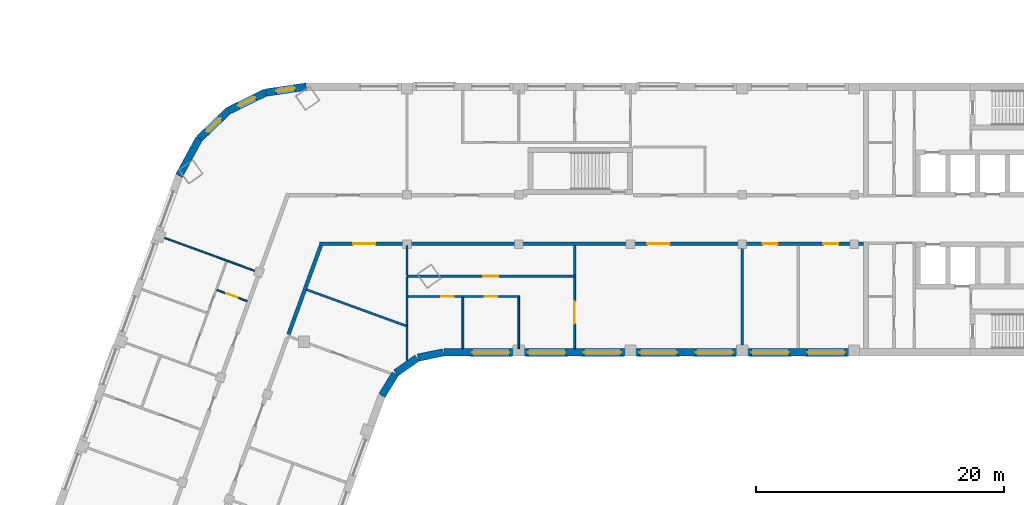
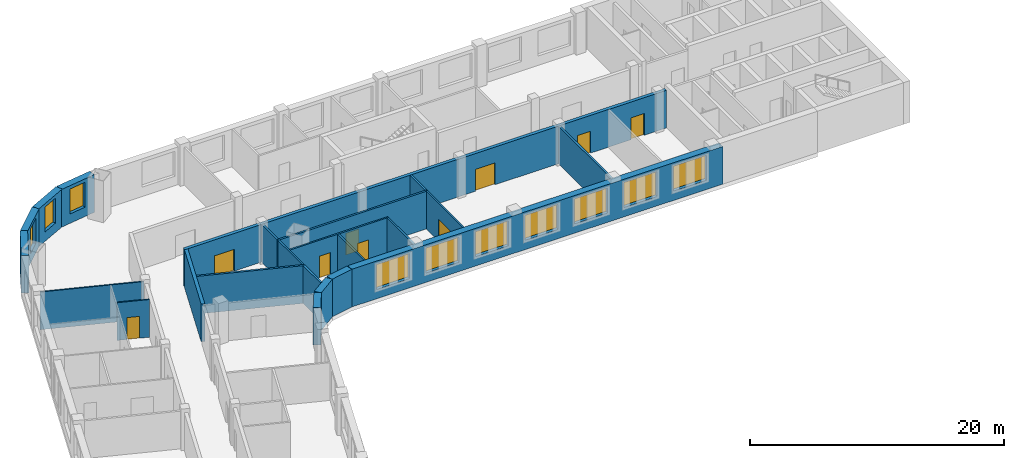
# One storey, part 4 of 12: 23 walls, 10 windows, 9 doors, 19 openings.
"""IFC4 building model written with IfcOpenShell, lengths in metres."""

from ifc_helpers import new_model, si_unit, direction, frame, frame_2d, origin, place, context, subcontext, project, spatial, rectangle, extrude, material, layer, layer_set, type_object, element, fill, save


model = new_model("IFC4")

# Units and contexts
model_context = context("Model", 3, precision=1e-05, world=origin(), true_north=direction((0.0, 1.0)))
body_context = subcontext(model_context, "Body", "Model", "MODEL_VIEW")
ifc_project = project(units=[si_unit("LENGTHUNIT", "METRE"), si_unit("AREAUNIT", "SQUARE_METRE"), si_unit("VOLUMEUNIT", "CUBIC_METRE"), si_unit("PLANEANGLEUNIT", "RADIAN"), si_unit("MASSUNIT", "GRAM", prefix="KILO")], contexts=[model_context])

# Site, building, storey
site_placement = place(None, origin())
site = spatial("IfcSite", under=ifc_project, at=site_placement, CompositionType="ELEMENT")
building_placement = place(site_placement, origin())
building = spatial("IfcBuilding", under=site, at=building_placement, Name="Skarvind Civic Tower", CompositionType="ELEMENT")
storey_placement = place(building_placement, frame((0.0, 0.0, 39.5)))
storey = spatial("IfcBuildingStorey", under=building, at=storey_placement, Name="L08", CompositionType="ELEMENT", Elevation=39.5)

# Walls
ifc_material_1 = material(Name="Acoustic gypsum board on steel studs", Category="steel")
ifc_layer_1 = layer(ifc_material_1, 0.175048828125)
ifc_layer_set_1 = layer_set([ifc_layer_1], Name="ACOUSTIC MEETING-ROOM PARTITION 175")
wall_type_1 = type_object("IfcWallType", Name="ACOUSTIC MEETING-ROOM PARTITION 175", PredefinedType="PARTITIONING", material=ifc_layer_set_1)
wall_1_placement = place(storey_placement, frame((54.25, 116.636962890625, 0.0), z_axis=(0.0, 0.0, 1.0), x_axis=(0.0, 1.0, 0.0)))
element("IfcWall", 1, at=wall_1_placement, inside=storey, type_object=wall_type_1, Name="Partition 08.022", PredefinedType="PARTITIONING", context=body_context, shape_type="SweptSolid", body=[
    extrude(rectangle(XDim=2.776123046875, YDim=0.175048828125, at=frame_2d((1.38818359375, 0.0))), origin(), (0.0, 0.0, 1.0), 3.625),
])
wall_2_placement = place(storey_placement, frame((54.320068359375, 119.384033203125, 0.0), z_axis=(0.0, 0.0, 1.0), x_axis=(-0.939632908118, 0.342184157994, 0.0)))
element("IfcWall", 2, at=wall_2_placement, inside=storey, type_object=wall_type_1, Name="Partition 08.023", PredefinedType="PARTITIONING", context=body_context, shape_type="SweptSolid", body=[
    extrude(rectangle(XDim=8.665283203125, YDim=0.175048828125, at=frame_2d((4.33251953125, 0.0))), origin(), (0.0, 0.0, 1.0), 3.625),
])
wall_3_placement = place(storey_placement, frame((54.25, 123.501953125, 0.0), z_axis=(0.0, 0.0, 1.0), x_axis=(0.0, 1.0, 0.0)))
element("IfcWall", 3, at=wall_3_placement, inside=storey, type_object=wall_type_1, Name="Partition 08.026", PredefinedType="PARTITIONING", context=body_context, shape_type="SweptSolid", body=[
    extrude(rectangle(XDim=2.39794921875, YDim=0.175048828125, at=frame_2d((1.198974609375, 0.0))), origin(), (0.0, 0.0, 1.0), 3.625),
])

# Wall, opening, door
wall_4_placement = place(storey_placement, frame((54.25, 123.429931640625, 0.0), z_axis=(0.0, 0.0, 1.0), x_axis=(1.0, 0.0, 0.0)))
wall_4 = element("IfcWall", 4, at=wall_4_placement, inside=storey, type_object=wall_type_1, Name="Partition 08.027", PredefinedType="PARTITIONING", context=body_context, shape_type="SweptSolid", body=[
    extrude(rectangle(XDim=13.587890625, YDim=0.175048828125, at=frame_2d((6.7939453125, 0.0))), origin(), (0.0, 0.0, 1.0), 3.625),
])
opening_1_placement = place(wall_4_placement, frame((6.14990234375, 0.0, 0.0)))
opening_1 = element("IfcOpeningElement", 5, at=opening_1_placement, cuts=wall_4, Name="Opening L08-D025", PredefinedType="OPENING", context=body_context, shape_type="SweptSolid", body=[
    extrude(rectangle(XDim=1.199951171875, YDim=2.10009765625, at=frame_2d((0.60009765625, 1.050048828125))), frame((0.0, 0.097412109375, 0.0), z_axis=(0.0, -1.0, 0.0), x_axis=(1.0, 0.0, 0.0)), (0.0, 0.0, 1.0), 0.195068359375),
])
ifc_material_2 = material(Name="Timber door leaf", Category="wood")
door_type_1 = type_object("IfcDoorType", Name="DOOR 1200X2100 DOUBLE TIMBER", OperationType="NOTDEFINED", PredefinedType="DOOR", material=ifc_material_2)
door_1_placement = place(opening_1_placement, origin())
door_1 = element("IfcDoor", 6, at=door_1_placement, inside=storey, type_object=door_type_1, Name="Door L08-D025", OperationType="DOUBLE_DOOR_SINGLE_SWING", OverallHeight=2.10009765625, OverallWidth=1.199951171875, PredefinedType="DOOR", context=body_context, shape_type="SweptSolid", body=[
    extrude(rectangle(XDim=1.199951171875, YDim=2.10009765625, at=frame_2d((0.60009765625, 1.050048828125))), frame((0.0, 0.02490234375, 0.0), z_axis=(0.0, -1.0, 0.0), x_axis=(1.0, 0.0, 0.0)), (0.0, 0.0, 1.0), 0.050048828125),
])
fill(opening_1, door_1)

# Walls
wall_5_placement = place(storey_placement, frame((67.75, 123.51806640625, 0.0), z_axis=(0.0, 0.0, 1.0), x_axis=(0.0, 1.0, 0.0)))
element("IfcWall", 7, at=wall_5_placement, inside=storey, type_object=wall_type_1, Name="Partition 08.035", PredefinedType="PARTITIONING", context=body_context, shape_type="SweptSolid", body=[
    extrude(rectangle(XDim=2.3818359375, YDim=0.175048828125, at=frame_2d((1.19091796875, 0.0))), origin(), (0.0, 0.0, 1.0), 3.625),
])
wall_6_placement = place(storey_placement, frame((81.25, 117.60009765625, 0.0), z_axis=(0.0, 0.0, 1.0), x_axis=(0.0, 1.0, 0.0)))
element("IfcWall", 8, at=wall_6_placement, inside=storey, type_object=wall_type_1, Name="Partition 08.041", PredefinedType="PARTITIONING", context=body_context, shape_type="SweptSolid", body=[
    extrude(rectangle(XDim=8.2998046875, YDim=0.175048828125, at=frame_2d((4.14990234375, 0.0))), origin(), (0.0, 0.0, 1.0), 3.625),
])
ifc_material_3 = material(Name="Fire-rated gypsum board on steel studs", Category="steel")
ifc_layer_2 = layer(ifc_material_3, 0.300048828125)
ifc_layer_set_2 = layer_set([ifc_layer_2], Name="CORRIDOR WALL 300")
wall_type_2 = type_object("IfcWallType", Name="CORRIDOR WALL 300", PredefinedType="PARTITIONING", material=ifc_layer_set_2)
wall_7_placement = place(storey_placement, frame((47.31396484375, 125.908935546875, 0.0), z_axis=(0.0, 0.0, 1.0), x_axis=(-0.34198522802, -0.939705328183, 0.0)))
element("IfcWall", 9, at=wall_7_placement, inside=storey, type_object=wall_type_2, Name="Partition 08.021", PredefinedType="PARTITIONING", context=body_context, shape_type="SweptSolid", body=[
    extrude(rectangle(XDim=7.608642578125, YDim=0.300048828125, at=frame_2d((3.80419921875, 0.0))), origin(), (0.0, 0.0, 1.0), 3.625),
])

# Wall, openings, doors
wall_8_placement = place(storey_placement, frame((91.0, 126.050048828125, 0.0), z_axis=(0.0, 0.0, 1.0), x_axis=(-1.0, 0.0, 0.0)))
wall_8 = element("IfcWall", 10, at=wall_8_placement, inside=storey, type_object=wall_type_2, Name="Partition 08.043", PredefinedType="PARTITIONING", context=body_context, shape_type="SweptSolid", body=[
    extrude(rectangle(XDim=43.784912109375, YDim=0.300048828125, at=frame_2d((21.892578125, 0.0))), origin(), (0.0, 0.0, 1.0), 3.625),
])
opening_2_placement = place(wall_8_placement, frame((2.02490234375, 0.0, 0.0)))
opening_2 = element("IfcOpeningElement", 11, at=opening_2_placement, cuts=wall_8, Name="Opening L08-D005", PredefinedType="OPENING", context=body_context, shape_type="SweptSolid", body=[
    extrude(rectangle(XDim=1.199951171875, YDim=2.10009765625, at=frame_2d((0.60009765625, 1.050048828125))), frame((0.0, 0.159912109375, 0.0), z_axis=(0.0, -1.0, 0.0), x_axis=(1.0, 0.0, 0.0)), (0.0, 0.0, 1.0), 0.320068359375),
])
opening_3_placement = place(wall_8_placement, frame((6.89990234375, 0.0, 0.0)))
opening_3 = element("IfcOpeningElement", 12, at=opening_3_placement, cuts=wall_8, Name="Opening L08-D006", PredefinedType="OPENING", context=body_context, shape_type="SweptSolid", body=[
    extrude(rectangle(XDim=1.199951171875, YDim=2.10009765625, at=frame_2d((0.60009765625, 1.050048828125))), frame((0.0, 0.159912109375, 0.0), z_axis=(0.0, -1.0, 0.0), x_axis=(1.0, 0.0, 0.0)), (0.0, 0.0, 1.0), 0.320068359375),
])
opening_4_placement = place(wall_8_placement, frame((15.60009765625, 0.0, 0.0)))
opening_4 = element("IfcOpeningElement", 13, at=opening_4_placement, cuts=wall_8, Name="Opening L08-D007", PredefinedType="OPENING", context=body_context, shape_type="SweptSolid", body=[
    extrude(rectangle(XDim=1.800048828125, YDim=2.10009765625, at=frame_2d((0.89990234375, 1.050048828125))), frame((0.0, 0.159912109375, 0.0), z_axis=(0.0, -1.0, 0.0), x_axis=(1.0, 0.0, 0.0)), (0.0, 0.0, 1.0), 0.320068359375),
])
opening_5_placement = place(wall_8_placement, frame((39.2958984375, 0.0, 0.0)))
opening_5 = element("IfcOpeningElement", 14, at=opening_5_placement, cuts=wall_8, Name="Opening L08-D024", PredefinedType="OPENING", context=body_context, shape_type="SweptSolid", body=[
    extrude(rectangle(XDim=1.800048828125, YDim=2.10009765625, at=frame_2d((0.89990234375, 1.050048828125))), frame((0.0, 0.159912109375, 0.0), z_axis=(0.0, -1.0, 0.0), x_axis=(1.0, 0.0, 0.0)), (0.0, 0.0, 1.0), 0.320068359375),
])
ifc_material_4 = material(Name="Fire-rated timber door leaf", Category="wood")
door_type_2 = type_object("IfcDoorType", Name="FD4 1800x2100", OperationType="NOTDEFINED", PredefinedType="DOOR", material=ifc_material_4)
door_2_placement = place(opening_4_placement, origin())
door_2 = element("IfcDoor", 15, at=door_2_placement, inside=storey, type_object=door_type_2, Name="Door L08-D007", OperationType="DOUBLE_DOOR_SINGLE_SWING", OverallHeight=2.10009765625, OverallWidth=1.800048828125, PredefinedType="DOOR", context=body_context, shape_type="SweptSolid", body=[
    extrude(rectangle(XDim=1.800048828125, YDim=2.10009765625, at=frame_2d((0.89990234375, 1.050048828125))), frame((0.0, 0.02490234375, 0.0), z_axis=(0.0, -1.0, 0.0), x_axis=(1.0, 0.0, 0.0)), (0.0, 0.0, 1.0), 0.050048828125),
])
fill(opening_4, door_2)
door_3_placement = place(opening_5_placement, origin())
door_3 = element("IfcDoor", 16, at=door_3_placement, inside=storey, type_object=door_type_2, Name="Door L08-D024", OperationType="DOUBLE_DOOR_SINGLE_SWING", OverallHeight=2.10009765625, OverallWidth=1.800048828125, PredefinedType="DOOR", context=body_context, shape_type="SweptSolid", body=[
    extrude(rectangle(XDim=1.800048828125, YDim=2.10009765625, at=frame_2d((0.89990234375, 1.050048828125))), frame((0.0, 0.02490234375, 0.0), z_axis=(0.0, -1.0, 0.0), x_axis=(1.0, 0.0, 0.0)), (0.0, 0.0, 1.0), 0.050048828125),
])
fill(opening_5, door_3)
door_type_3 = type_object("IfcDoorType", Name="FD6 1200x2100 DOUBLE", OperationType="NOTDEFINED", PredefinedType="DOOR", material=ifc_material_4)
door_4_placement = place(opening_2_placement, origin())
door_4 = element("IfcDoor", 17, at=door_4_placement, inside=storey, type_object=door_type_3, Name="Door L08-D005", OperationType="DOUBLE_DOOR_SINGLE_SWING", OverallHeight=2.10009765625, OverallWidth=1.199951171875, PredefinedType="DOOR", context=body_context, shape_type="SweptSolid", body=[
    extrude(rectangle(XDim=1.199951171875, YDim=2.10009765625, at=frame_2d((0.60009765625, 1.050048828125))), frame((0.0, 0.02490234375, 0.0), z_axis=(0.0, -1.0, 0.0), x_axis=(1.0, 0.0, 0.0)), (0.0, 0.0, 1.0), 0.050048828125),
])
fill(opening_2, door_4)
door_5_placement = place(opening_3_placement, origin())
door_5 = element("IfcDoor", 18, at=door_5_placement, inside=storey, type_object=door_type_3, Name="Door L08-D006", OperationType="DOUBLE_DOOR_SINGLE_SWING", OverallHeight=2.10009765625, OverallWidth=1.199951171875, PredefinedType="DOOR", context=body_context, shape_type="SweptSolid", body=[
    extrude(rectangle(XDim=1.199951171875, YDim=2.10009765625, at=frame_2d((0.60009765625, 1.050048828125))), frame((0.0, 0.02490234375, 0.0), z_axis=(0.0, -1.0, 0.0), x_axis=(1.0, 0.0, 0.0)), (0.0, 0.0, 1.0), 0.050048828125),
])
fill(opening_3, door_5)

# Wall
ifc_material_5 = material(Name="Plasterboard partition on steel studs", Category="steel")
ifc_layer_3 = layer(ifc_material_5, 0.14990234375)
ifc_layer_set_3 = layer_set([ifc_layer_3], Name="PARTITION 150")
wall_type_3 = type_object("IfcWallType", Name="PARTITION 150", PredefinedType="PARTITIONING", material=ifc_layer_set_3)
wall_9_placement = place(storey_placement, frame((54.25, 119.498046875, 0.0), z_axis=(0.0, 0.0, 1.0), x_axis=(0.0, 1.0, 0.0)))
element("IfcWall", 19, at=wall_9_placement, inside=storey, type_object=wall_type_3, Name="Partition 08.024", PredefinedType="PARTITIONING", context=body_context, shape_type="SweptSolid", body=[
    extrude(rectangle(XDim=3.847900390625, YDim=0.14990234375, at=frame_2d((1.923828125, 0.0))), origin(), (0.0, 0.0, 1.0), 3.625),
])

# Wall, openings, doors
wall_10_placement = place(storey_placement, frame((54.324951171875, 121.800048828125, 0.0), z_axis=(0.0, 0.0, 1.0), x_axis=(1.0, 0.0, 0.0)))
wall_10 = element("IfcWall", 20, at=wall_10_placement, inside=storey, type_object=wall_type_3, Name="Partition 08.025", PredefinedType="PARTITIONING", context=body_context, shape_type="SweptSolid", body=[
    extrude(rectangle(XDim=9.0, YDim=0.14990234375, at=frame_2d((4.5, 0.0))), origin(), (0.0, 0.0, 1.0), 3.625),
])
opening_6_placement = place(wall_10_placement, frame((6.175048828125, 0.0, 0.0)))
opening_6 = element("IfcOpeningElement", 21, at=opening_6_placement, cuts=wall_10, Name="Opening L08-D008", PredefinedType="OPENING", context=body_context, shape_type="SweptSolid", body=[
    extrude(rectangle(XDim=1.0, YDim=2.10009765625, at=frame_2d((0.5, 1.050048828125))), frame((0.0, 0.0849609375, 0.0), z_axis=(0.0, -1.0, 0.0), x_axis=(1.0, 0.0, 0.0)), (0.0, 0.0, 1.0), 0.169921875),
])
opening_7_placement = place(wall_10_placement, frame((2.702392578125, 0.0, 0.0)))
opening_7 = element("IfcOpeningElement", 22, at=opening_7_placement, cuts=wall_10, Name="Opening L08-D009", PredefinedType="OPENING", context=body_context, shape_type="SweptSolid", body=[
    extrude(rectangle(XDim=1.0, YDim=2.10009765625, at=frame_2d((0.5, 1.050048828125))), frame((0.0, 0.0849609375, 0.0), z_axis=(0.0, -1.0, 0.0), x_axis=(1.0, 0.0, 0.0)), (0.0, 0.0, 1.0), 0.169921875),
])
door_type_4 = type_object("IfcDoorType", Name="D1 1000x2100", OperationType="NOTDEFINED", PredefinedType="DOOR", material=ifc_material_2)
door_6_placement = place(opening_6_placement, origin())
door_6 = element("IfcDoor", 23, at=door_6_placement, inside=storey, type_object=door_type_4, Name="Door L08-D008", OperationType="SINGLE_SWING_RIGHT", OverallHeight=2.10009765625, OverallWidth=1.0, PredefinedType="DOOR", context=body_context, shape_type="SweptSolid", body=[
    extrude(rectangle(XDim=1.0, YDim=2.10009765625, at=frame_2d((0.5, 1.050048828125))), frame((0.0, 0.02490234375, 0.0), z_axis=(0.0, -1.0, 0.0), x_axis=(1.0, 0.0, 0.0)), (0.0, 0.0, 1.0), 0.050048828125),
])
fill(opening_6, door_6)
door_7_placement = place(opening_7_placement, origin())
door_7 = element("IfcDoor", 24, at=door_7_placement, inside=storey, type_object=door_type_4, Name="Door L08-D009", OperationType="SINGLE_SWING_RIGHT", OverallHeight=2.10009765625, OverallWidth=1.0, PredefinedType="DOOR", context=body_context, shape_type="SweptSolid", body=[
    extrude(rectangle(XDim=1.0, YDim=2.10009765625, at=frame_2d((0.5, 1.050048828125))), frame((0.0, 0.02490234375, 0.0), z_axis=(0.0, -1.0, 0.0), x_axis=(1.0, 0.0, 0.0)), (0.0, 0.0, 1.0), 0.050048828125),
])
fill(opening_7, door_7)

# Walls
for number, where, z_axis, x_axis, name in (
    (25, (58.75, 117.60009765625, 0.0), (0.0, 0.0, 1.0), (0.0, 1.0, 0.0), "Partition 08.029"),
    (26, (63.25, 117.60009765625, 0.0), (0.0, 0.0, 1.0), (0.0, 1.0, 0.0), "Partition 08.032"),
):
    element("IfcWall", number, at=place(storey_placement, frame(where, z_axis=z_axis, x_axis=x_axis)), inside=storey, type_object=wall_type_3, Name=name, PredefinedType="PARTITIONING", context=body_context, shape_type="SweptSolid", body=[
        extrude(rectangle(XDim=4.125, YDim=0.14990234375, at=frame_2d((2.0625, 0.0))), origin(), (0.0, 0.0, 1.0), 3.625),
    ])

# Wall, opening, door
wall_11_placement = place(storey_placement, frame((67.75, 123.43310546875, 0.0), z_axis=(0.0, 0.0, 1.0), x_axis=(0.0, -1.0, 0.0)))
wall_11 = element("IfcWall", 27, at=wall_11_placement, inside=storey, type_object=wall_type_3, Name="Partition 08.034", PredefinedType="PARTITIONING", context=body_context, shape_type="SweptSolid", body=[
    extrude(rectangle(XDim=5.8330078125, YDim=0.14990234375, at=frame_2d((2.91650390625, 0.0))), origin(), (0.0, 0.0, 1.0), 3.625),
])
opening_8_placement = place(wall_11_placement, frame((2.01806640625, 0.0, 0.0)))
opening_8 = element("IfcOpeningElement", 28, at=opening_8_placement, cuts=wall_11, Name="Opening L08-D010", PredefinedType="OPENING", context=body_context, shape_type="SweptSolid", body=[
    extrude(rectangle(XDim=1.800048828125, YDim=2.10009765625, at=frame_2d((0.89990234375, 1.050048828125))), frame((0.0, 0.0849609375, 0.0), z_axis=(0.0, -1.0, 0.0), x_axis=(1.0, 0.0, 0.0)), (0.0, 0.0, 1.0), 0.169921875),
])
door_type_5 = type_object("IfcDoorType", Name="D4 1800x2100", OperationType="NOTDEFINED", PredefinedType="DOOR", material=ifc_material_2)
door_8_placement = place(opening_8_placement, origin())
door_8 = element("IfcDoor", 29, at=door_8_placement, inside=storey, type_object=door_type_5, Name="Door L08-D010", OperationType="DOUBLE_DOOR_SINGLE_SWING", OverallHeight=2.10009765625, OverallWidth=1.800048828125, PredefinedType="DOOR", context=body_context, shape_type="SweptSolid", body=[
    extrude(rectangle(XDim=1.800048828125, YDim=2.10009765625, at=frame_2d((0.89990234375, 1.050048828125))), frame((0.0, 0.02490234375, 0.0), z_axis=(0.0, -1.0, 0.0), x_axis=(1.0, 0.0, 0.0)), (0.0, 0.0, 1.0), 0.050048828125),
])
fill(opening_8, door_8)

# Wall
ifc_material_6 = material(Name="Moisture-resistant gypsum board on steel studs", Category="steel")
ifc_layer_4 = layer(ifc_material_6, 0.125)
ifc_layer_set_4 = layer_set([ifc_layer_4], Name="WC PARTITION 125")
wall_type_4 = type_object("IfcWallType", Name="WC PARTITION 125", PredefinedType="PARTITIONING", material=ifc_layer_set_4)
wall_12_placement = place(storey_placement, frame((34.430908203125, 126.6240234375, 0.0), z_axis=(0.0, 0.0, 1.0), x_axis=(0.939687752599, -0.342033518263, 0.0)))
element("IfcWall", 30, at=wall_12_placement, inside=storey, type_object=wall_type_4, Name="Partition 08.006", PredefinedType="PARTITIONING", context=body_context, shape_type="SweptSolid", body=[
    extrude(rectangle(XDim=8.30078125, YDim=0.125, at=frame_2d((4.150390625, 0.0))), origin(), (0.0, 0.0, 1.0), 3.625),
])

# Wall, opening, door
wall_13_placement = place(storey_placement, frame((38.945068359375, 122.321044921875, 0.0), z_axis=(0.0, 0.0, 1.0), x_axis=(0.939542462288, -0.342432418966, 0.0)))
wall_13 = element("IfcWall", 31, at=wall_13_placement, inside=storey, type_object=wall_type_4, Name="Partition 08.012", PredefinedType="PARTITIONING", context=body_context, shape_type="SweptSolid", body=[
    extrude(rectangle(XDim=2.58740234375, YDim=0.125, at=frame_2d((1.293701171875, 0.0))), origin(), (0.0, 0.0, 1.0), 3.625),
])
opening_9_placement = place(wall_13_placement, frame((0.7939453125, 0.0, 0.0)))
opening_9 = element("IfcOpeningElement", 32, at=opening_9_placement, cuts=wall_13, Name="Opening L08-D016", PredefinedType="OPENING", context=body_context, shape_type="SweptSolid", body=[
    extrude(rectangle(XDim=1.0, YDim=2.10009765625, at=frame_2d((0.5, 1.050048828125))), frame((0.0, 0.072509765625, 0.0), z_axis=(0.0, -1.0, 0.0), x_axis=(1.0, 0.0, 0.0)), (0.0, 0.0, 1.0), 0.14501953125),
])
door_9_placement = place(opening_9_placement, origin())
door_9 = element("IfcDoor", 33, at=door_9_placement, inside=storey, type_object=door_type_4, Name="Door L08-D016", OperationType="SINGLE_SWING_LEFT", OverallHeight=2.10009765625, OverallWidth=1.0, PredefinedType="DOOR", context=body_context, shape_type="SweptSolid", body=[
    extrude(rectangle(XDim=1.0, YDim=2.10009765625, at=frame_2d((0.5, 1.050048828125))), frame((0.0, 0.02490234375, 0.0), z_axis=(0.0, -1.0, 0.0), x_axis=(1.0, 0.0, 0.0)), (0.0, 0.0, 1.0), 0.050048828125),
])
fill(opening_9, door_9)

# Walls
ifc_material_7 = material(Name="Limestone masonry cladding on insulated backing", Category="masonry")
ifc_layer_5 = layer(ifc_material_7, 0.60009765625)
ifc_layer_set_5 = layer_set([ifc_layer_5], Name="WX1 STONE FACADE WALL 600")
wall_type_5 = type_object("IfcWallType", Name="WX1 STONE FACADE WALL 600", PredefinedType="SOLIDWALL", material=ifc_layer_set_5)
wall_14_placement = place(storey_placement, frame((53.30517578125, 115.578369140625, 0.0), z_axis=(0.0, 0.0, 1.0), x_axis=(-0.522402266438, -0.852699168535, 0.0)))
element("IfcWall", 34, at=wall_14_placement, inside=storey, type_object=wall_type_5, Name="STONE FACADE WALL", PredefinedType="SOLIDWALL", context=body_context, shape_type="SweptSolid", body=[
    extrude(rectangle(XDim=2.042236328125, YDim=0.60009765625, at=frame_2d((1.02099609375, 0.0))), origin(), (0.0, 0.0, 1.0), 3.625),
])
for number, where, z_axis, x_axis, name in (
    (35, (55.061767578125, 116.8388671875, 0.0), (0.0, 0.0, 1.0), (-0.819122269495, -0.573618956815, 0.0), "STONE FACADE WALL"),
    (36, (57.17529296875, 117.2939453125, 0.0), (0.0, 0.0, 1.0), (-0.97996099083, -0.19918949885, 0.0), "STONE FACADE WALL"),
):
    element("IfcWall", number, at=place(storey_placement, frame(where, z_axis=z_axis, x_axis=x_axis)), inside=storey, type_object=wall_type_5, Name=name, PredefinedType="SOLIDWALL", context=body_context, shape_type="SweptSolid", body=[
        extrude(rectangle(XDim=2.09228515625, YDim=0.60009765625, at=frame_2d((1.046142578125, 0.0))), origin(), (0.0, 0.0, 1.0), 3.625),
    ])

# Wall, openings, windows
wall_15_placement = place(storey_placement, frame((90.97998046875, 117.300048828125, 0.0), z_axis=(0.0, 0.0, 1.0), x_axis=(-1.0, 0.0, 0.0)))
wall_15 = element("IfcWall", 37, at=wall_15_placement, inside=storey, type_object=wall_type_5, Name="STONE FACADE WALL", PredefinedType="SOLIDWALL", context=body_context, shape_type="SweptSolid", body=[
    extrude(rectangle(XDim=33.744873046875, YDim=0.60009765625, at=frame_2d((16.87255859375, 0.0))), origin(), (0.0, 0.0, 1.0), 3.625),
])
opening_10_placement = place(wall_15_placement, frame((1.47998046875, 0.0, 0.89990234375)))
opening_10 = element("IfcOpeningElement", 38, at=opening_10_placement, cuts=wall_15, Name="Opening WN1", PredefinedType="OPENING", context=body_context, shape_type="SweptSolid", body=[
    extrude(rectangle(XDim=3.0, YDim=2.39990234375, at=frame_2d((1.5, 1.199951171875))), frame((0.0, 0.31005859375, 0.0), z_axis=(0.0, -1.0, 0.0), x_axis=(1.0, 0.0, 0.0)), (0.0, 0.0, 1.0), 0.6201171875),
])
opening_11_placement = place(wall_15_placement, frame((5.97998046875, 0.0, 0.89990234375)))
opening_11 = element("IfcOpeningElement", 39, at=opening_11_placement, cuts=wall_15, Name="Opening WN1", PredefinedType="OPENING", context=body_context, shape_type="SweptSolid", body=[
    extrude(rectangle(XDim=3.0, YDim=2.39990234375, at=frame_2d((1.5, 1.199951171875))), frame((0.0, 0.31005859375, 0.0), z_axis=(0.0, -1.0, 0.0), x_axis=(1.0, 0.0, 0.0)), (0.0, 0.0, 1.0), 0.6201171875),
])
opening_12_placement = place(wall_15_placement, frame((10.47998046875, 0.0, 0.89990234375)))
opening_12 = element("IfcOpeningElement", 40, at=opening_12_placement, cuts=wall_15, Name="Opening WN1", PredefinedType="OPENING", context=body_context, shape_type="SweptSolid", body=[
    extrude(rectangle(XDim=3.0, YDim=2.39990234375, at=frame_2d((1.5, 1.199951171875))), frame((0.0, 0.31005859375, 0.0), z_axis=(0.0, -1.0, 0.0), x_axis=(1.0, 0.0, 0.0)), (0.0, 0.0, 1.0), 0.6201171875),
])
opening_13_placement = place(wall_15_placement, frame((14.97998046875, 0.0, 0.89990234375)))
opening_13 = element("IfcOpeningElement", 41, at=opening_13_placement, cuts=wall_15, Name="Opening WN1", PredefinedType="OPENING", context=body_context, shape_type="SweptSolid", body=[
    extrude(rectangle(XDim=3.0, YDim=2.39990234375, at=frame_2d((1.5, 1.199951171875))), frame((0.0, 0.31005859375, 0.0), z_axis=(0.0, -1.0, 0.0), x_axis=(1.0, 0.0, 0.0)), (0.0, 0.0, 1.0), 0.6201171875),
])
opening_14_placement = place(wall_15_placement, frame((19.47998046875, 0.0, 0.89990234375)))
opening_14 = element("IfcOpeningElement", 42, at=opening_14_placement, cuts=wall_15, Name="Opening WN1", PredefinedType="OPENING", context=body_context, shape_type="SweptSolid", body=[
    extrude(rectangle(XDim=3.0, YDim=2.39990234375, at=frame_2d((1.5, 1.199951171875))), frame((0.0, 0.31005859375, 0.0), z_axis=(0.0, -1.0, 0.0), x_axis=(1.0, 0.0, 0.0)), (0.0, 0.0, 1.0), 0.6201171875),
])
opening_15_placement = place(wall_15_placement, frame((23.97998046875, 0.0, 0.89990234375)))
opening_15 = element("IfcOpeningElement", 43, at=opening_15_placement, cuts=wall_15, Name="Opening WN1", PredefinedType="OPENING", context=body_context, shape_type="SweptSolid", body=[
    extrude(rectangle(XDim=3.0, YDim=2.39990234375, at=frame_2d((1.5, 1.199951171875))), frame((0.0, 0.31005859375, 0.0), z_axis=(0.0, -1.0, 0.0), x_axis=(1.0, 0.0, 0.0)), (0.0, 0.0, 1.0), 0.6201171875),
])
opening_16_placement = place(wall_15_placement, frame((28.47998046875, 0.0, 0.89990234375)))
opening_16 = element("IfcOpeningElement", 44, at=opening_16_placement, cuts=wall_15, Name="Opening WN1", PredefinedType="OPENING", context=body_context, shape_type="SweptSolid", body=[
    extrude(rectangle(XDim=3.0, YDim=2.39990234375, at=frame_2d((1.5, 1.199951171875))), frame((0.0, 0.31005859375, 0.0), z_axis=(0.0, -1.0, 0.0), x_axis=(1.0, 0.0, 0.0)), (0.0, 0.0, 1.0), 0.6201171875),
])
ifc_material_8 = material(Name="Timber frame, double glazing, timber-lined reveal", Category="wood")
window_type_1 = type_object("IfcWindowType", Name="WN1 PUNCHED STONE WINDOW 3000 x 2400", PartitioningType="SINGLE_PANEL", PredefinedType="WINDOW", material=ifc_material_8)
window_1_placement = place(opening_10_placement, origin())
window_1 = element("IfcWindow", 45, at=window_1_placement, inside=storey, type_object=window_type_1, Name="WN1 WINDOW", OverallHeight=2.39990234375, OverallWidth=3.0, PartitioningType="SINGLE_PANEL", PredefinedType="WINDOW", context=body_context, shape_type="SweptSolid", body=[
    extrude(rectangle(XDim=3.0, YDim=2.39990234375, at=frame_2d((1.5, 1.199951171875))), frame((0.0, 0.030029296875, 0.0), z_axis=(0.0, -1.0, 0.0), x_axis=(1.0, 0.0, 0.0)), (0.0, 0.0, 1.0), 0.06005859375),
])
fill(opening_10, window_1)
window_2_placement = place(opening_11_placement, origin())
window_2 = element("IfcWindow", 46, at=window_2_placement, inside=storey, type_object=window_type_1, Name="WN1 WINDOW", OverallHeight=2.39990234375, OverallWidth=3.0, PartitioningType="SINGLE_PANEL", PredefinedType="WINDOW", context=body_context, shape_type="SweptSolid", body=[
    extrude(rectangle(XDim=3.0, YDim=2.39990234375, at=frame_2d((1.5, 1.199951171875))), frame((0.0, 0.030029296875, 0.0), z_axis=(0.0, -1.0, 0.0), x_axis=(1.0, 0.0, 0.0)), (0.0, 0.0, 1.0), 0.06005859375),
])
fill(opening_11, window_2)
window_3_placement = place(opening_12_placement, origin())
window_3 = element("IfcWindow", 47, at=window_3_placement, inside=storey, type_object=window_type_1, Name="WN1 WINDOW", OverallHeight=2.39990234375, OverallWidth=3.0, PartitioningType="SINGLE_PANEL", PredefinedType="WINDOW", context=body_context, shape_type="SweptSolid", body=[
    extrude(rectangle(XDim=3.0, YDim=2.39990234375, at=frame_2d((1.5, 1.199951171875))), frame((0.0, 0.030029296875, 0.0), z_axis=(0.0, -1.0, 0.0), x_axis=(1.0, 0.0, 0.0)), (0.0, 0.0, 1.0), 0.06005859375),
])
fill(opening_12, window_3)
window_4_placement = place(opening_13_placement, origin())
window_4 = element("IfcWindow", 48, at=window_4_placement, inside=storey, type_object=window_type_1, Name="WN1 WINDOW", OverallHeight=2.39990234375, OverallWidth=3.0, PartitioningType="SINGLE_PANEL", PredefinedType="WINDOW", context=body_context, shape_type="SweptSolid", body=[
    extrude(rectangle(XDim=3.0, YDim=2.39990234375, at=frame_2d((1.5, 1.199951171875))), frame((0.0, 0.030029296875, 0.0), z_axis=(0.0, -1.0, 0.0), x_axis=(1.0, 0.0, 0.0)), (0.0, 0.0, 1.0), 0.06005859375),
])
fill(opening_13, window_4)
window_5_placement = place(opening_14_placement, origin())
window_5 = element("IfcWindow", 49, at=window_5_placement, inside=storey, type_object=window_type_1, Name="WN1 WINDOW", OverallHeight=2.39990234375, OverallWidth=3.0, PartitioningType="SINGLE_PANEL", PredefinedType="WINDOW", context=body_context, shape_type="SweptSolid", body=[
    extrude(rectangle(XDim=3.0, YDim=2.39990234375, at=frame_2d((1.5, 1.199951171875))), frame((0.0, 0.030029296875, 0.0), z_axis=(0.0, -1.0, 0.0), x_axis=(1.0, 0.0, 0.0)), (0.0, 0.0, 1.0), 0.06005859375),
])
fill(opening_14, window_5)
window_6_placement = place(opening_15_placement, origin())
window_6 = element("IfcWindow", 50, at=window_6_placement, inside=storey, type_object=window_type_1, Name="WN1 WINDOW", OverallHeight=2.39990234375, OverallWidth=3.0, PartitioningType="SINGLE_PANEL", PredefinedType="WINDOW", context=body_context, shape_type="SweptSolid", body=[
    extrude(rectangle(XDim=3.0, YDim=2.39990234375, at=frame_2d((1.5, 1.199951171875))), frame((0.0, 0.030029296875, 0.0), z_axis=(0.0, -1.0, 0.0), x_axis=(1.0, 0.0, 0.0)), (0.0, 0.0, 1.0), 0.06005859375),
])
fill(opening_15, window_6)
window_7_placement = place(opening_16_placement, origin())
window_7 = element("IfcWindow", 51, at=window_7_placement, inside=storey, type_object=window_type_1, Name="WN1 WINDOW", OverallHeight=2.39990234375, OverallWidth=3.0, PartitioningType="SINGLE_PANEL", PredefinedType="WINDOW", context=body_context, shape_type="SweptSolid", body=[
    extrude(rectangle(XDim=3.0, YDim=2.39990234375, at=frame_2d((1.5, 1.199951171875))), frame((0.0, 0.030029296875, 0.0), z_axis=(0.0, -1.0, 0.0), x_axis=(1.0, 0.0, 0.0)), (0.0, 0.0, 1.0), 0.06005859375),
])
fill(opening_16, window_7)

# Wall, opening, window
wall_16_placement = place(storey_placement, frame((42.872802734375, 138.21728515625, 0.0), z_axis=(0.0, 0.0, 1.0), x_axis=(0.989110792192, 0.14717282619, 0.0)))
wall_16 = element("IfcWall", 52, at=wall_16_placement, inside=storey, type_object=wall_type_5, Name="STONE FACADE WALL", PredefinedType="SOLIDWALL", context=body_context, shape_type="SweptSolid", body=[
    extrude(rectangle(XDim=3.302734375, YDim=0.60009765625, at=frame_2d((1.6513671875, 0.0))), origin(), (0.0, 0.0, 1.0), 3.625),
])
opening_17_placement = place(wall_16_placement, frame((0.8564453125, 0.0, 0.89990234375)))
opening_17 = element("IfcOpeningElement", 53, at=opening_17_placement, cuts=wall_16, Name="Opening WN8", PredefinedType="OPENING", context=body_context, shape_type="SweptSolid", body=[
    extrude(rectangle(XDim=1.5, YDim=2.39990234375, at=frame_2d((0.75, 1.199951171875))), frame((0.0, 0.31005859375, 0.0), z_axis=(0.0, -1.0, 0.0), x_axis=(1.0, 0.0, 0.0)), (0.0, 0.0, 1.0), 0.6201171875),
])
window_type_2 = type_object("IfcWindowType", Name="WN8 ARC BAY WINDOW 1500 x 2400", PartitioningType="SINGLE_PANEL", PredefinedType="WINDOW", material=ifc_material_8)
window_8_placement = place(opening_17_placement, origin())
window_8 = element("IfcWindow", 54, at=window_8_placement, inside=storey, type_object=window_type_2, Name="WN8 WINDOW", OverallHeight=2.39990234375, OverallWidth=1.5, PartitioningType="SINGLE_PANEL", PredefinedType="WINDOW", context=body_context, shape_type="SweptSolid", body=[
    extrude(rectangle(XDim=1.5, YDim=2.39990234375, at=frame_2d((0.75, 1.199951171875))), frame((0.0, 0.030029296875, 0.0), z_axis=(0.0, -1.0, 0.0), x_axis=(1.0, 0.0, 0.0)), (0.0, 0.0, 1.0), 0.06005859375),
])
fill(opening_17, window_8)

wall_17_placement = place(storey_placement, frame((39.9072265625, 136.77587890625, 0.0), z_axis=(0.0, 0.0, 1.0), x_axis=(0.89761231107, 0.440785819889, 0.0)))
wall_17 = element("IfcWall", 55, at=wall_17_placement, inside=storey, type_object=wall_type_5, Name="STONE FACADE WALL", PredefinedType="SOLIDWALL", context=body_context, shape_type="SweptSolid", body=[
    extrude(rectangle(XDim=3.302734375, YDim=0.60009765625, at=frame_2d((1.6513671875, 0.0))), origin(), (0.0, 0.0, 1.0), 3.625),
])
opening_18_placement = place(wall_17_placement, frame((0.8564453125, 0.0, 0.89990234375)))
opening_18 = element("IfcOpeningElement", 56, at=opening_18_placement, cuts=wall_17, Name="Opening WN8", PredefinedType="OPENING", context=body_context, shape_type="SweptSolid", body=[
    extrude(rectangle(XDim=1.5, YDim=2.39990234375, at=frame_2d((0.75, 1.199951171875))), frame((0.0, 0.31005859375, 0.0), z_axis=(0.0, -1.0, 0.0), x_axis=(1.0, 0.0, 0.0)), (0.0, 0.0, 1.0), 0.6201171875),
])
window_9_placement = place(opening_18_placement, origin())
window_9 = element("IfcWindow", 57, at=window_9_placement, inside=storey, type_object=window_type_2, Name="WN8 WINDOW", OverallHeight=2.39990234375, OverallWidth=1.5, PartitioningType="SINGLE_PANEL", PredefinedType="WINDOW", context=body_context, shape_type="SweptSolid", body=[
    extrude(rectangle(XDim=1.5, YDim=2.39990234375, at=frame_2d((0.75, 1.199951171875))), frame((0.0, 0.030029296875, 0.0), z_axis=(0.0, -1.0, 0.0), x_axis=(1.0, 0.0, 0.0)), (0.0, 0.0, 1.0), 0.06005859375),
])
fill(opening_18, window_9)

wall_18_placement = place(storey_placement, frame((37.520263671875, 134.501220703125, 0.0), z_axis=(0.0, 0.0, 1.0), x_axis=(0.72115684486, 0.692771827596, 0.0)))
wall_18 = element("IfcWall", 58, at=wall_18_placement, inside=storey, type_object=wall_type_5, Name="STONE FACADE WALL", PredefinedType="SOLIDWALL", context=body_context, shape_type="SweptSolid", body=[
    extrude(rectangle(XDim=3.302734375, YDim=0.60009765625, at=frame_2d((1.6513671875, 0.0))), origin(), (0.0, 0.0, 1.0), 3.625),
])
opening_19_placement = place(wall_18_placement, frame((0.8564453125, 0.0, 0.89990234375)))
opening_19 = element("IfcOpeningElement", 59, at=opening_19_placement, cuts=wall_18, Name="Opening WN8", PredefinedType="OPENING", context=body_context, shape_type="SweptSolid", body=[
    extrude(rectangle(XDim=1.5, YDim=2.39990234375, at=frame_2d((0.75, 1.199951171875))), frame((0.0, 0.31005859375, 0.0), z_axis=(0.0, -1.0, 0.0), x_axis=(1.0, 0.0, 0.0)), (0.0, 0.0, 1.0), 0.6201171875),
])
window_10_placement = place(opening_19_placement, origin())
window_10 = element("IfcWindow", 60, at=window_10_placement, inside=storey, type_object=window_type_2, Name="WN8 WINDOW", OverallHeight=2.39990234375, OverallWidth=1.5, PartitioningType="SINGLE_PANEL", PredefinedType="WINDOW", context=body_context, shape_type="SweptSolid", body=[
    extrude(rectangle(XDim=1.5, YDim=2.39990234375, at=frame_2d((0.75, 1.199951171875))), frame((0.0, 0.030029296875, 0.0), z_axis=(0.0, -1.0, 0.0), x_axis=(1.0, 0.0, 0.0)), (0.0, 0.0, 1.0), 0.06005859375),
])
fill(opening_19, window_10)

# Wall
wall_19_placement = place(storey_placement, frame((35.89453125, 131.529541015625, 0.0), z_axis=(0.0, 0.0, 1.0), x_axis=(0.476531180538, 0.879157570618, 0.0)))
element("IfcWall", 61, at=wall_19_placement, inside=storey, type_object=wall_type_5, Name="STONE FACADE WALL", PredefinedType="SOLIDWALL", context=body_context, shape_type="SweptSolid", body=[
    extrude(rectangle(XDim=3.392578125, YDim=0.60009765625, at=frame_2d((1.6962890625, 0.0))), origin(), (0.0, 0.0, 1.0), 3.625),
])

save(model, "model.ifc")
